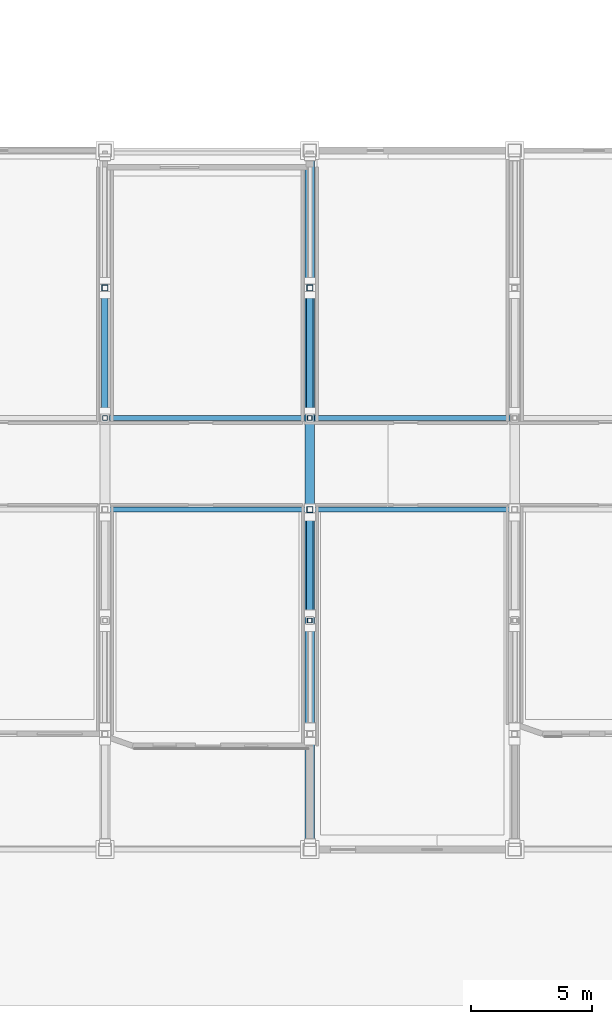
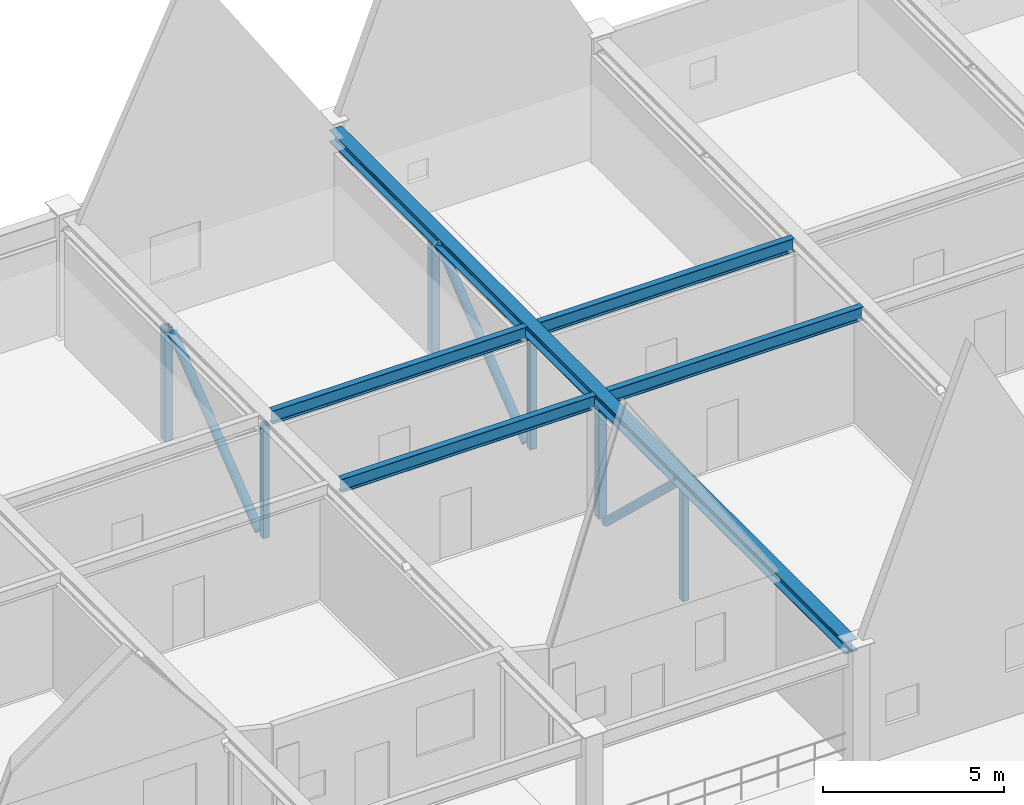
# One storey, part 28 of 78: 9 members, 5 beams.
"""IFC4 building model written with IfcOpenShell, lengths in metres."""

from ifc_helpers import new_model, si_unit, direction, frame, origin, origin_2d, place, context, subcontext, project, spatial, hollow_rectangle, hollow_circle, i_section, extrude, material, material_profile, profile_set, type_object, element, save


model = new_model("IFC4")

# Units and contexts
model_context = context("Model", 3, precision=1e-05, world=origin(), true_north=direction((0.0, 1.0)))
body_context = subcontext(model_context, "Body", "Model", "MODEL_VIEW")
ifc_project = project(units=[si_unit("LENGTHUNIT", "METRE"), si_unit("AREAUNIT", "SQUARE_METRE"), si_unit("VOLUMEUNIT", "CUBIC_METRE"), si_unit("PLANEANGLEUNIT", "RADIAN"), si_unit("MASSUNIT", "GRAM", prefix="KILO"), si_unit("THERMODYNAMICTEMPERATUREUNIT", "KELVIN"), si_unit("POWERUNIT", "WATT")], contexts=[model_context])

# Site, building, storey
site_placement = place(None, origin())
site = spatial("IfcSite", under=ifc_project, at=site_placement, CompositionType="ELEMENT")
building_placement = place(site_placement, origin())
building = spatial("IfcBuilding", under=site, at=building_placement, Name="Zhenchuan Central Fire Station", CompositionType="ELEMENT")
storey_placement = place(building_placement, frame((0.0, 0.0, 5.85009765625)))
storey = spatial("IfcBuildingStorey", under=building, at=storey_placement, Name="L02", CompositionType="ELEMENT", Elevation=5.85009765625)

# Beams
ifc_material = material(Name="Steel Q355B", Category="steel")
ifc_material_profile_1 = material_profile(ifc_material, i_section(OverallWidth=0.199951171875, OverallDepth=0.449951171875, WebThickness=0.009033203125, FlangeThickness=0.013916015625, FilletRadius=0.01806640625, at=origin_2d()), Name="HN 450x200")
ifc_profile_set_1 = profile_set([ifc_material_profile_1], Name="Steel Q355B")
beam_type_1 = type_object("IfcBeamType", Name="BM-HN450", PredefinedType="BEAM", material=ifc_profile_set_1)
for number, where, z_axis, x_axis, name in (
    (1, (81.697021484375, 20.60009765625, 3.77490234375), (1.0, 0.0, 0.0), (0.0, 1.0, 0.0), "Pavilion Corridor Tie Girder 0546"),
    (2, (81.697021484375, 24.39990234375, 3.77490234375), (1.0, 0.0, 0.0), (0.0, 1.0, 0.0), "Pavilion Corridor Tie Girder 0547"),
    (3, (90.197021484375, 20.60009765625, 3.77490234375), (1.0, 0.0, 0.0), (0.0, 1.0, 0.0), "Pavilion Corridor Tie Girder 0548"),
    (4, (90.197021484375, 24.39990234375, 3.77490234375), (1.0, 0.0, 0.0), (0.0, 1.0, 0.0), "Pavilion Corridor Tie Girder 0549"),
):
    element("IfcBeam", number, at=place(storey_placement, frame(where, z_axis=z_axis, x_axis=x_axis)), inside=storey, type_object=beam_type_1, Name=name, PredefinedType="BEAM", context=body_context, shape_type="SweptSolid", body=[
        extrude(i_section(OverallWidth=0.199951171875, OverallDepth=0.449951171875, WebThickness=0.009033203125, FlangeThickness=0.013916015625, FilletRadius=0.01806640625, at=origin_2d()), origin(), (0.0, 0.0, 1.0), 8.10595703125),
    ])
ifc_material_profile_2 = material_profile(ifc_material, i_section(OverallWidth=0.39990234375, OverallDepth=0.39990234375, WebThickness=0.012939453125, FlangeThickness=0.02099609375, FilletRadius=0.02197265625, at=origin_2d()), Name="HW 400x400")
ifc_profile_set_2 = profile_set([ifc_material_profile_2], Name="Steel Q355B")
beam_type_2 = type_object("IfcBeamType", Name="BM-HW400-INT", PredefinedType="BEAM", material=ifc_profile_set_2)
beam_placement = place(storey_placement, frame((90.0, 6.77490234375, 3.7998046875), z_axis=(0.0, 1.0, 0.0), x_axis=(-1.0, 0.0, 0.0)))
element("IfcBeam", 5, at=beam_placement, inside=storey, type_object=beam_type_2, Name="Pratt Transfer Truss TT-05 Top Chord", PredefinedType="BEAM", context=body_context, shape_type="SweptSolid", body=[
    extrude(i_section(OverallWidth=0.39990234375, OverallDepth=0.39990234375, WebThickness=0.012939453125, FlangeThickness=0.02099609375, FilletRadius=0.02197265625, at=origin_2d()), origin(), (0.0, 0.0, 1.0), 28.4501953125),
])

# Members
ifc_material_profile_3 = material_profile(ifc_material, hollow_circle(Radius=0.136474609375, WallThickness=0.011962890625, at=origin_2d()), Name="CHS 273x12")
ifc_profile_set_3 = profile_set([ifc_material_profile_3], Name="Steel Q355B")
member_type_1 = type_object("IfcMemberType", Name="MB-BR-CHS273", PredefinedType="BRACE", material=ifc_profile_set_3)
member_1_placement = place(storey_placement, frame((81.5, 24.699951171875, -0.2001953125), z_axis=(0.0, 0.784045015832, 0.620703965791), x_axis=(-1.0, 0.0, 0.0)))
element("IfcMember", 6, at=member_1_placement, inside=storey, type_object=member_type_1, Name="Transfer Truss TT-04 Web Diagonal 5", PredefinedType="BRACE", context=body_context, shape_type="SweptSolid", body=[
    extrude(hollow_circle(Radius=0.136474609375, WallThickness=0.011962890625, at=origin_2d()), origin(), (0.0, 0.0, 1.0), 6.1220703125),
])
member_2_placement = place(storey_placement, frame((90.0, 16.300048828125, 3.599853515625), z_axis=(0.0, 0.724995014376, -0.688754113694), x_axis=(-1.0, 0.0, 0.0)))
element("IfcMember", 7, at=member_2_placement, inside=storey, type_object=member_type_1, Name="Transfer Truss TT-05 Web Diagonal 3", PredefinedType="BRACE", context=body_context, shape_type="SweptSolid", body=[
    extrude(hollow_circle(Radius=0.136474609375, WallThickness=0.011962890625, at=origin_2d()), origin(), (0.0, 0.0, 1.0), 5.517333984375),
])
member_3_placement = place(storey_placement, frame((90.0, 24.699951171875, -0.2001953125), z_axis=(0.0, 0.784045015832, 0.620703965791), x_axis=(-1.0, 0.0, 0.0)))
element("IfcMember", 8, at=member_3_placement, inside=storey, type_object=member_type_1, Name="Transfer Truss TT-05 Web Diagonal 5", PredefinedType="BRACE", context=body_context, shape_type="SweptSolid", body=[
    extrude(hollow_circle(Radius=0.136474609375, WallThickness=0.011962890625, at=origin_2d()), origin(), (0.0, 0.0, 1.0), 6.1220703125),
])
ifc_material_profile_4 = material_profile(ifc_material, hollow_rectangle(XDim=0.199951171875, YDim=0.199951171875, WallThickness=0.010009765625, at=origin_2d()), Name="SHS 200x200x10")
ifc_profile_set_4 = profile_set([ifc_material_profile_4], Name="Steel Q355B")
member_type_2 = type_object("IfcMemberType", Name="MB-CH-SHS200", PredefinedType="CHORD", material=ifc_profile_set_4)
for number, where, z_axis, x_axis, name in (
    (9, (81.5, 24.39990234375, -0.2001953125), (0.0, 0.0, 1.0), (1.0, 0.0, 0.0), "Transfer Truss TT-04 Web Post 4"),
    (10, (90.0, 16.0, -0.2001953125), (0.0, 0.0, 1.0), (1.0, 0.0, 0.0), "Transfer Truss TT-05 Web Post 2"),
    (11, (90.0, 24.39990234375, -0.2001953125), (0.0, 0.0, 1.0), (1.0, 0.0, 0.0), "Transfer Truss TT-05 Web Post 4"),
):
    element("IfcMember", number, at=place(storey_placement, frame(where, z_axis=z_axis, x_axis=x_axis)), inside=storey, type_object=member_type_2, Name=name, PredefinedType="CHORD", context=body_context, shape_type="SweptSolid", body=[
        extrude(hollow_rectangle(XDim=0.199951171875, YDim=0.199951171875, WallThickness=0.010009765625, at=origin_2d()), origin(), (0.0, 0.0, 1.0), 3.800048828125),
    ])
ifc_material_profile_5 = material_profile(ifc_material, hollow_rectangle(XDim=0.25, YDim=0.25, WallThickness=0.011962890625, at=origin_2d()), Name="SHS 250x250x12")
ifc_profile_set_5 = profile_set([ifc_material_profile_5], Name="Steel Q355B")
member_type_3 = type_object("IfcMemberType", Name="MB-CH-SHS250", PredefinedType="CHORD", material=ifc_profile_set_5)
for number, where, z_axis, x_axis, name in (
    (12, (81.5, 29.800048828125, -0.2001953125), (0.0, 0.0, 1.0), (1.0, 0.0, 0.0), "Transfer Truss TT-04 Web Post 5"),
    (13, (90.0, 20.60009765625, -0.2001953125), (0.0, 0.0, 1.0), (1.0, 0.0, 0.0), "Transfer Truss TT-05 Web Post 3"),
    (14, (90.0, 29.800048828125, -0.2001953125), (0.0, 0.0, 1.0), (1.0, 0.0, 0.0), "Transfer Truss TT-05 Web Post 5"),
):
    element("IfcMember", number, at=place(storey_placement, frame(where, z_axis=z_axis, x_axis=x_axis)), inside=storey, type_object=member_type_3, Name=name, PredefinedType="CHORD", context=body_context, shape_type="SweptSolid", body=[
        extrude(hollow_rectangle(XDim=0.25, YDim=0.25, WallThickness=0.011962890625, at=origin_2d()), origin(), (0.0, 0.0, 1.0), 3.800048828125),
    ])

save(model, "model.ifc")
